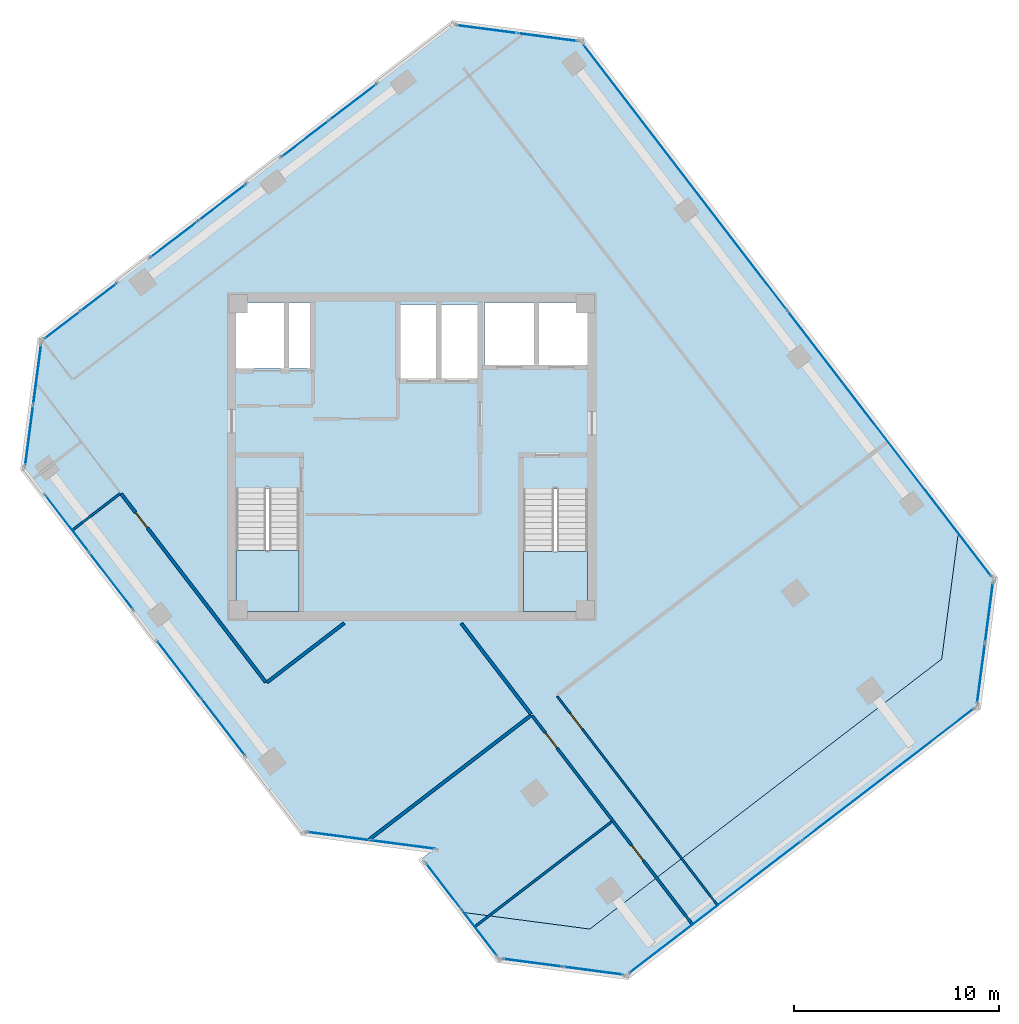
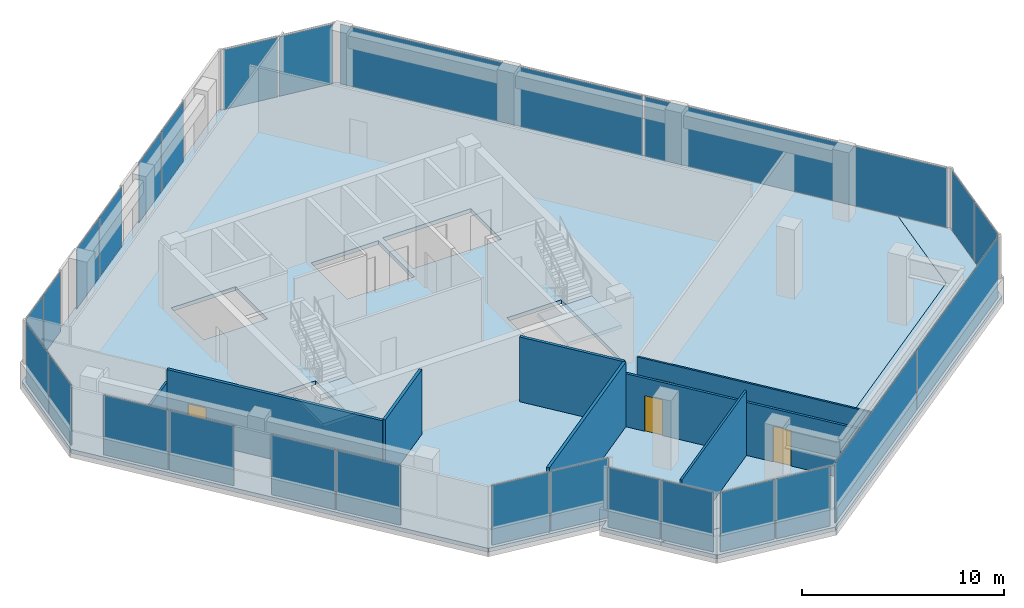
# One storey, part 12 of 17: 26 plates, 8 walls, 4 doors, 4 slabs, 4 openings, 15 elements without a shape of their own.
"""IFC4 building model written with IfcOpenShell, lengths in metres."""

from ifc_helpers import new_model, si_unit, direction, frame, frame_2d, origin, origin_2d, place, context, subcontext, project, spatial, polyline, rectangle, outline, extrude, source, transform, mapped, material, layer, layer_set, type_object, element, fill, aggregate, save


model = new_model("IFC4")

# Units and contexts
model_context = context("Model", 3, precision=1e-05, world=origin(), true_north=direction((0.0, 1.0)))
body_context = subcontext(model_context, "Body", "Model", "MODEL_VIEW")
ifc_project = project(units=[si_unit("LENGTHUNIT", "METRE"), si_unit("AREAUNIT", "SQUARE_METRE"), si_unit("VOLUMEUNIT", "CUBIC_METRE"), si_unit("PLANEANGLEUNIT", "RADIAN"), si_unit("MASSUNIT", "GRAM", prefix="KILO")], contexts=[model_context])

# Site, building, storey
site_placement = place(None, origin())
site = spatial("IfcSite", under=ifc_project, at=site_placement, CompositionType="ELEMENT")
building_placement = place(site_placement, origin())
building = spatial("IfcBuilding", under=site, at=building_placement, Name="Torre Montelarca", CompositionType="ELEMENT")
storey_placement = place(building_placement, frame((0.0, 0.0, 283.60009765625)))
storey = spatial("IfcBuildingStorey", under=building, at=storey_placement, Name="L64", CompositionType="ELEMENT", Elevation=283.60009765625)

# Slabs
ifc_material_1 = material(Name="Concrete C40/50", Category="concrete")
ifc_layer_1 = layer(ifc_material_1, 0.239990234375, Name="Concrete C40/50", Category="concrete")
ifc_layer_set_1 = layer_set([ifc_layer_1], Name="Concrete C40/50")
slab_type_1 = type_object("IfcSlabType", Name="SL-FLR-240", PredefinedType="FLOOR", material=ifc_layer_set_1)
slab_1_placement = place(storey_placement, frame((0.0, 0.0, -0.239990234375)))
element("IfcSlab", 1, at=slab_1_placement, inside=storey, type_object=slab_type_1, Name="L64 Structural Floor Slab", PredefinedType="FLOOR", context=body_context, shape_type="SweptSolid", body=[
    extrude(outline(polyline([(12.66162109375, 13.62158203125), (18.97119140625, 12.791015625), (18.415771484375, 12.364990234375), (20.36376953125, 9.826171875), (26.67333984375, 8.99560546875), (43.809814453125, 22.144775390625), (44.640380859375, 28.454345703125), (26.316650390625, 52.334228515625), (20.007080078125, 53.164794921875), (-0.14404296875, 37.702392578125), (-0.974609375, 31.392822265625), (12.66162109375, 13.62158203125)]), holes=[polyline([(26.550048828125, 24.449951171875), (23.43994140625, 24.449951171875), (23.43994140625, 30.429931640625), (26.550048828125, 30.429931640625), (26.550048828125, 24.449951171875)]), polyline([(12.5, 24.449951171875), (9.449951171875, 24.449951171875), (9.449951171875, 30.4599609375), (12.5, 30.4599609375), (12.5, 24.449951171875)]), polyline([(21.25, 39.39990234375), (21.25, 35.800048828125), (17.39990234375, 35.800048828125), (17.39990234375, 39.39990234375), (21.25, 39.39990234375)]), polyline([(13.1201171875, 36.300048828125), (9.449951171875, 36.300048828125), (9.449951171875, 39.5), (13.1201171875, 39.5), (13.1201171875, 36.300048828125)]), polyline([(26.60009765625, 36.449951171875), (21.550048828125, 36.449951171875), (21.550048828125, 39.5), (26.60009765625, 39.5), (26.60009765625, 36.449951171875)])]), origin(), (0.0, 0.0, 1.0), 0.239990234375),
])
slab_2_placement = place(storey_placement, frame((0.0, 0.0, -0.239990234375)))
element("IfcSlab", 2, at=slab_2_placement, inside=storey, type_object=slab_type_1, Name="L64 Sliding Tray Winter Garden Floor Slab E1", PredefinedType="FLOOR", context=body_context, shape_type="SweptSolid", body=[
    extrude(outline(polyline([(44.640380859375, 28.454345703125), (43.809814453125, 22.144775390625), (26.67333984375, 8.99560546875), (20.36376953125, 9.826171875), (22.190185546875, 7.446044921875), (28.49951171875, 6.615478515625), (45.635986328125, 19.7646484375), (46.466796875, 26.07421875), (44.640380859375, 28.454345703125)])), origin(), (0.0, 0.0, 1.0), 0.239990234375),
])

# Stair, slab
stair_type_1 = type_object("IfcStairType", Name="ST-CORE-ST1", PredefinedType="HALF_TURN_STAIR", material=ifc_material_1)
stair_1_placement = place(storey_placement, origin())
stair_1 = element("IfcStair", 3, at=stair_1_placement, inside=storey, type_object=stair_type_1, Name="L64 Protected Exit Stair ST1", PredefinedType="HALF_TURN_STAIR")
ifc_layer_2 = layer(ifc_material_1, 0.199951171875, Name="Concrete C40/50", Category="concrete")
ifc_layer_set_2 = layer_set([ifc_layer_2], Name="Concrete C40/50")
slab_type_2 = type_object("IfcSlabType", Name="SL-ST-LAND-ST1", PredefinedType="LANDING", material=ifc_layer_set_2)
slab_3_placement = place(storey_placement, frame((0.0, 0.0, 1.89990234375)))
slab_3 = element("IfcSlab", 4, at=slab_3_placement, type_object=slab_type_2, Name="ST1 landing 1", PredefinedType="LANDING", context=body_context, shape_type="SweptSolid", body=[
    extrude(outline(polyline([(9.449951171875, 27.419921875), (9.449951171875, 24.449951171875), (12.5, 24.449951171875), (12.5, 27.419921875), (9.449951171875, 27.419921875)])), origin(), (0.0, 0.0, 1.0), 0.199951171875),
])
aggregate(stair_1, [slab_3])

stair_type_2 = type_object("IfcStairType", Name="ST-CORE-ST2", PredefinedType="HALF_TURN_STAIR", material=ifc_material_1)
stair_2_placement = place(storey_placement, origin())
stair_2 = element("IfcStair", 5, at=stair_2_placement, inside=storey, type_object=stair_type_2, Name="L64 Protected Exit Stair ST2", PredefinedType="HALF_TURN_STAIR")
ifc_layer_3 = layer(ifc_material_1, 0.199951171875, Name="Concrete C40/50", Category="concrete")
ifc_layer_set_3 = layer_set([ifc_layer_3], Name="Concrete C40/50")
slab_type_3 = type_object("IfcSlabType", Name="SL-ST-LAND-ST2", PredefinedType="LANDING", material=ifc_layer_set_3)
slab_4_placement = place(storey_placement, frame((0.0, 0.0, 1.89990234375)))
slab_4 = element("IfcSlab", 6, at=slab_4_placement, type_object=slab_type_3, Name="ST2 landing 1", PredefinedType="LANDING", context=body_context, shape_type="SweptSolid", body=[
    extrude(outline(polyline([(23.43994140625, 27.389892578125), (23.43994140625, 24.449951171875), (26.550048828125, 24.449951171875), (26.550048828125, 27.389892578125), (23.43994140625, 27.389892578125)])), origin(), (0.0, 0.0, 1.0), 0.199951171875),
])
aggregate(stair_2, [slab_4])

# Curtain wall, plates
ifc_material_2 = material(Name="Insulated low-E laminated glass", Category="glass")
curtain_wall_type = type_object("IfcCurtainWallType", Name="CW-SYS-Z3", PredefinedType="USERDEFINED", material=ifc_material_2)
curtain_wall_1_placement = place(storey_placement, origin())
curtain_wall_1 = element("IfcCurtainWall", 7, at=curtain_wall_1_placement, inside=storey, type_object=curtain_wall_type, Name="L64 Curtain Wall Run CW-T3-L64-E02-B1", ObjectType="UNITISED GLAZING", PredefinedType="USERDEFINED")
ifc_layer_4 = layer(ifc_material_2, 0.031982421875, Name="Insulated low-E laminated glass", Category="glass")
ifc_layer_set_4 = layer_set([ifc_layer_4], Name="Insulated low-E laminated glass")
plate_type = type_object("IfcPlateType", Name="CWP-GLZ-32", PredefinedType="CURTAIN_PANEL", material=ifc_layer_set_4)
shared_shape_1 = source(origin(), body_context, "Body", "SweptSolid", [
    extrude(rectangle(XDim=3.08740234375, YDim=0.031982421875, at=origin_2d()), origin(), (0.0, 0.0, 1.0), 3.610107421875),
])
plate_1_placement = place(storey_placement, frame((14.447998046875, 13.517578125, 0.0546875), z_axis=(0.0, 0.0, 1.0), x_axis=(0.991446369584, -0.130514735715, 0.0)))
plate_1 = element("IfcPlate", 8, at=plate_1_placement, type_object=plate_type, Name="CW panel 1.1", PredefinedType="CURTAIN_PANEL", context=body_context, shape_type="MappedRepresentation", body=[
    mapped(shared_shape_1, transform((0.0, 0.0, 0.0), scale=1.0)),
])
plate_2_placement = place(storey_placement, frame((17.58349609375, 13.10498046875, 0.0546875), z_axis=(0.0, 0.0, 1.0), x_axis=(0.991446369584, -0.130514735715, 0.0)))
plate_2 = element("IfcPlate", 9, at=plate_2_placement, type_object=plate_type, Name="CW panel 2.1", PredefinedType="CURTAIN_PANEL", context=body_context, shape_type="MappedRepresentation", body=[
    mapped(shared_shape_1, transform((0.0, 0.0, 0.0), scale=1.0)),
])
aggregate(curtain_wall_1, [plate_1, plate_2])

curtain_wall_2_placement = place(storey_placement, origin())
curtain_wall_2 = element("IfcCurtainWall", 10, at=curtain_wall_2_placement, inside=storey, type_object=curtain_wall_type, Name="L64 Curtain Wall Run CW-T3-L64-E05-B1", ObjectType="UNITISED GLAZING", PredefinedType="USERDEFINED")
shared_shape_2 = source(origin(), body_context, "Body", "SweptSolid", [
    extrude(rectangle(XDim=2.903564453125, YDim=0.031982421875, at=origin_2d()), origin(), (0.0, 0.0, 1.0), 3.610107421875),
])
plate_3_placement = place(storey_placement, frame((23.88525390625, 7.35400390625, 0.0546875), z_axis=(0.0, 0.0, 1.0), x_axis=(0.991446450787, -0.130514118862, 0.0)))
plate_3 = element("IfcPlate", 11, at=plate_3_placement, type_object=plate_type, Name="CW panel 1.1", PredefinedType="CURTAIN_PANEL", context=body_context, shape_type="MappedRepresentation", body=[
    mapped(shared_shape_2, transform((0.0, 0.0, 0.0), scale=1.0)),
])
plate_4_placement = place(storey_placement, frame((26.83837890625, 6.96533203125, 0.0546875), z_axis=(0.0, 0.0, 1.0), x_axis=(0.991446450787, -0.130514118862, 0.0)))
plate_4 = element("IfcPlate", 12, at=plate_4_placement, type_object=plate_type, Name="CW panel 2.1", PredefinedType="CURTAIN_PANEL", context=body_context, shape_type="MappedRepresentation", body=[
    mapped(shared_shape_2, transform((0.0, 0.0, 0.0), scale=1.0)),
])
aggregate(curtain_wall_2, [plate_3, plate_4])

curtain_wall_3_placement = place(storey_placement, origin())
curtain_wall_3 = element("IfcCurtainWall", 13, at=curtain_wall_3_placement, inside=storey, type_object=curtain_wall_type, Name="L64 Curtain Wall Run CW-T3-L64-E07-B1", ObjectType="UNITISED GLAZING", PredefinedType="USERDEFINED")
plate_5_placement = place(storey_placement, frame((45.72802734375, 21.4599609375, 0.0546875), z_axis=(0.0, 0.0, 1.0), x_axis=(0.130514118862, 0.991446450787, 0.0)))
plate_5 = element("IfcPlate", 14, at=plate_5_placement, type_object=plate_type, Name="CW panel 1.1", PredefinedType="CURTAIN_PANEL", context=body_context, shape_type="MappedRepresentation", body=[
    mapped(shared_shape_2, transform((0.0, 0.0, 0.0), scale=1.0)),
])
plate_6_placement = place(storey_placement, frame((46.116943359375, 24.4130859375, 0.0546875), z_axis=(0.0, 0.0, 1.0), x_axis=(0.130514118862, 0.991446450787, 0.0)))
plate_6 = element("IfcPlate", 15, at=plate_6_placement, type_object=plate_type, Name="CW panel 2.1", PredefinedType="CURTAIN_PANEL", context=body_context, shape_type="MappedRepresentation", body=[
    mapped(shared_shape_2, transform((0.0, 0.0, 0.0), scale=1.0)),
])
aggregate(curtain_wall_3, [plate_5, plate_6])

curtain_wall_4_placement = place(storey_placement, origin())
curtain_wall_4 = element("IfcCurtainWall", 16, at=curtain_wall_4_placement, inside=storey, type_object=curtain_wall_type, Name="L64 Curtain Wall Run CW-T3-L64-E09-B1", ObjectType="UNITISED GLAZING", PredefinedType="USERDEFINED")
plate_7_placement = place(storey_placement, frame((24.62158203125, 52.42626953125, 0.0546875), z_axis=(0.0, 0.0, 1.0), x_axis=(-0.991446450787, 0.130514118862, 0.0)))
plate_7 = element("IfcPlate", 17, at=plate_7_placement, type_object=plate_type, Name="CW panel 1.1", PredefinedType="CURTAIN_PANEL", context=body_context, shape_type="MappedRepresentation", body=[
    mapped(shared_shape_2, transform((0.0, 0.0, 0.0), scale=1.0)),
])
plate_8_placement = place(storey_placement, frame((21.66845703125, 52.81494140625, 0.0546875), z_axis=(0.0, 0.0, 1.0), x_axis=(-0.991446450787, 0.130514118862, 0.0)))
plate_8 = element("IfcPlate", 18, at=plate_8_placement, type_object=plate_type, Name="CW panel 2.1", PredefinedType="CURTAIN_PANEL", context=body_context, shape_type="MappedRepresentation", body=[
    mapped(shared_shape_2, transform((0.0, 0.0, 0.0), scale=1.0)),
])
aggregate(curtain_wall_4, [plate_7, plate_8])

curtain_wall_5_placement = place(storey_placement, origin())
curtain_wall_5 = element("IfcCurtainWall", 19, at=curtain_wall_5_placement, inside=storey, type_object=curtain_wall_type, Name="L64 Curtain Wall Run CW-T3-L64-E11-B1", ObjectType="UNITISED GLAZING", PredefinedType="USERDEFINED")
plate_9_placement = place(storey_placement, frame((-0.236083984375, 36.007080078125, 0.0546875), z_axis=(0.0, 0.0, 1.0), x_axis=(-0.130514118862, -0.991446450787, 0.0)))
plate_9 = element("IfcPlate", 20, at=plate_9_placement, type_object=plate_type, Name="CW panel 1.1", PredefinedType="CURTAIN_PANEL", context=body_context, shape_type="MappedRepresentation", body=[
    mapped(shared_shape_2, transform((0.0, 0.0, 0.0), scale=1.0)),
])
plate_10_placement = place(storey_placement, frame((-0.624755859375, 33.053955078125, 0.0546875), z_axis=(0.0, 0.0, 1.0), x_axis=(-0.130514118862, -0.991446450787, 0.0)))
plate_10 = element("IfcPlate", 21, at=plate_10_placement, type_object=plate_type, Name="CW panel 2.1", PredefinedType="CURTAIN_PANEL", context=body_context, shape_type="MappedRepresentation", body=[
    mapped(shared_shape_2, transform((0.0, 0.0, 0.0), scale=1.0)),
])
aggregate(curtain_wall_5, [plate_9, plate_10])

curtain_wall_6_placement = place(storey_placement, origin())
curtain_wall_6 = element("IfcCurtainWall", 22, at=curtain_wall_6_placement, inside=storey, type_object=curtain_wall_type, Name="L64 Curtain Wall Run CW-T3-L64-E06-B1", ObjectType="UNITISED GLAZING", PredefinedType="USERDEFINED")
shared_shape_3 = source(origin(), body_context, "Body", "SweptSolid", [
    extrude(rectangle(XDim=10.521728515625, YDim=0.031982421875, at=origin_2d()), origin(), (0.0, 0.0, 1.0), 3.610107421875),
])
plate_11_placement = place(storey_placement, frame((32.78515625, 10.06787109375, 0.0546875), z_axis=(0.0, 0.0, 1.0), x_axis=(0.793351942978, 0.608763250019, 0.0)))
plate_11 = element("IfcPlate", 23, at=plate_11_placement, type_object=plate_type, Name="CW panel 1.1", PredefinedType="CURTAIN_PANEL", context=body_context, shape_type="MappedRepresentation", body=[
    mapped(shared_shape_3, transform((0.0, 0.0, 0.0), scale=1.0)),
])
plate_12_placement = place(storey_placement, frame((41.192138671875, 16.5185546875, 0.0546875), z_axis=(0.0, 0.0, 1.0), x_axis=(0.793351942978, 0.608763250019, 0.0)))
plate_12 = element("IfcPlate", 24, at=plate_12_placement, type_object=plate_type, Name="CW panel 2.1", PredefinedType="CURTAIN_PANEL", context=body_context, shape_type="MappedRepresentation", body=[
    mapped(shared_shape_3, transform((0.0, 0.0, 0.0), scale=1.0)),
])
aggregate(curtain_wall_6, [plate_11, plate_12])

curtain_wall_7_placement = place(storey_placement, origin())
curtain_wall_7 = element("IfcCurtainWall", 25, at=curtain_wall_7_placement, inside=storey, type_object=curtain_wall_type, Name="L64 Curtain Wall Run CW-T3-L64-E10-B1", ObjectType="UNITISED GLAZING", PredefinedType="USERDEFINED")
shared_shape_4 = source(origin(), body_context, "Body", "SweptSolid", [
    extrude(rectangle(XDim=2.857421875, YDim=0.031982421875, at=origin_2d()), origin(), (0.0, 0.0, 1.0), 3.610107421875),
])
plate_13_placement = place(storey_placement, frame((15.140625, 49.266845703125, 0.0546875), z_axis=(0.0, 0.0, 1.0), x_axis=(-0.793347521215, -0.608769012502, 0.0)))
plate_13 = element("IfcPlate", 26, at=plate_13_placement, type_object=plate_type, Name="CW panel 1.1", PredefinedType="CURTAIN_PANEL", context=body_context, shape_type="MappedRepresentation", body=[
    mapped(shared_shape_4, transform((0.0, 0.0, 0.0), scale=1.0)),
])
plate_14_placement = place(storey_placement, frame((12.814208984375, 47.481689453125, 0.0546875), z_axis=(0.0, 0.0, 1.0), x_axis=(-0.793347521215, -0.608769012502, 0.0)))
plate_14 = element("IfcPlate", 27, at=plate_14_placement, type_object=plate_type, Name="CW panel 2.1", PredefinedType="CURTAIN_PANEL", context=body_context, shape_type="MappedRepresentation", body=[
    mapped(shared_shape_4, transform((0.0, 0.0, 0.0), scale=1.0)),
])
aggregate(curtain_wall_7, [plate_13, plate_14])

curtain_wall_8_placement = place(storey_placement, origin())
curtain_wall_8 = element("IfcCurtainWall", 28, at=curtain_wall_8_placement, inside=storey, type_object=curtain_wall_type, Name="L64 Curtain Wall Run CW-T3-L64-E01-B1", ObjectType="UNITISED GLAZING", PredefinedType="USERDEFINED")
shared_shape_5 = source(origin(), body_context, "Body", "SweptSolid", [
    extrude(rectangle(XDim=3.45751953125, YDim=0.031982421875, at=origin_2d()), origin(), (0.0, 0.0, 1.0), 3.610107421875),
])
plate_15_placement = place(storey_placement, frame((1.21875, 28.747802734375, 0.0546875), z_axis=(0.0, 0.0, 1.0), x_axis=(0.608768152979, -0.793348180762, 0.0)))
plate_15 = element("IfcPlate", 29, at=plate_15_placement, type_object=plate_type, Name="CW panel 1.1", PredefinedType="CURTAIN_PANEL", context=body_context, shape_type="MappedRepresentation", body=[
    mapped(shared_shape_5, transform((0.0, 0.0, 0.0), scale=1.0)),
])
plate_16_placement = place(storey_placement, frame((3.369140625, 25.9453125, 0.0546875), z_axis=(0.0, 0.0, 1.0), x_axis=(0.608768152979, -0.793348180762, 0.0)))
plate_16 = element("IfcPlate", 30, at=plate_16_placement, type_object=plate_type, Name="CW panel 2.1", PredefinedType="CURTAIN_PANEL", context=body_context, shape_type="MappedRepresentation", body=[
    mapped(shared_shape_5, transform((0.0, 0.0, 0.0), scale=1.0)),
])
aggregate(curtain_wall_8, [plate_15, plate_16])

curtain_wall_9_placement = place(storey_placement, origin())
curtain_wall_9 = element("IfcCurtainWall", 31, at=curtain_wall_9_placement, inside=storey, type_object=curtain_wall_type, Name="L64 Curtain Wall Run CW-T3-L64-E08-B1", ObjectType="UNITISED GLAZING", PredefinedType="USERDEFINED")
shared_shape_6 = source(origin(), body_context, "Body", "SweptSolid", [
    extrude(rectangle(XDim=16.271728515625, YDim=0.031982421875, at=origin_2d()), origin(), (0.0, 0.0, 1.0), 3.610107421875),
])
plate_17_placement = place(storey_placement, frame((41.26416015625, 32.640625, 0.0546875), z_axis=(0.0, 0.0, 1.0), x_axis=(-0.60876098773, 0.793353678896, 0.0)))
plate_17 = element("IfcPlate", 32, at=plate_17_placement, type_object=plate_type, Name="CW panel 1.1", PredefinedType="CURTAIN_PANEL", context=body_context, shape_type="MappedRepresentation", body=[
    mapped(shared_shape_6, transform((0.0, 0.0, 0.0), scale=1.0)),
])
plate_18_placement = place(storey_placement, frame((31.31298828125, 45.609375, 0.0546875), z_axis=(0.0, 0.0, 1.0), x_axis=(-0.60876098773, 0.793353678896, 0.0)))
plate_18 = element("IfcPlate", 33, at=plate_18_placement, type_object=plate_type, Name="CW panel 2.1", PredefinedType="CURTAIN_PANEL", context=body_context, shape_type="MappedRepresentation", body=[
    mapped(shared_shape_6, transform((0.0, 0.0, 0.0), scale=1.0)),
])
aggregate(curtain_wall_9, [plate_17, plate_18])

curtain_wall_10_placement = place(storey_placement, origin())
curtain_wall_10 = element("IfcCurtainWall", 34, at=curtain_wall_10_placement, inside=storey, type_object=curtain_wall_type, Name="L64 Curtain Wall Run CW-T3-L64-E04-B1", ObjectType="UNITISED GLAZING", PredefinedType="USERDEFINED")
shared_shape_7 = source(origin(), body_context, "Body", "SweptSolid", [
    extrude(rectangle(XDim=2.78369140625, YDim=0.031982421875, at=origin_2d()), origin(), (0.0, 0.0, 1.0), 3.610107421875),
])
plate_19_placement = place(storey_placement, frame((19.55908203125, 11.08837890625, 0.0546875), z_axis=(0.0, 0.0, 1.0), x_axis=(0.608761678082, -0.793353149171, 0.0)))
plate_19 = element("IfcPlate", 35, at=plate_19_placement, type_object=plate_type, Name="CW panel 1.1", PredefinedType="CURTAIN_PANEL", context=body_context, shape_type="MappedRepresentation", body=[
    mapped(shared_shape_7, transform((0.0, 0.0, 0.0), scale=1.0)),
])
plate_20_placement = place(storey_placement, frame((21.29931640625, 8.820556640625, 0.0546875), z_axis=(0.0, 0.0, 1.0), x_axis=(0.608761678082, -0.793353149171, 0.0)))
plate_20 = element("IfcPlate", 36, at=plate_20_placement, type_object=plate_type, Name="CW panel 2.1", PredefinedType="CURTAIN_PANEL", context=body_context, shape_type="MappedRepresentation", body=[
    mapped(shared_shape_7, transform((0.0, 0.0, 0.0), scale=1.0)),
])
aggregate(curtain_wall_10, [plate_19, plate_20])

curtain_wall_11_placement = place(storey_placement, origin())
curtain_wall_11 = element("IfcCurtainWall", 37, at=curtain_wall_11_placement, inside=storey, type_object=curtain_wall_type, Name="L64 Curtain Wall Run CW-T3-L64-E01-B2", ObjectType="UNITISED GLAZING", PredefinedType="USERDEFINED")
shared_shape_8 = source(origin(), body_context, "Body", "SweptSolid", [
    extrude(rectangle(XDim=3.432373046875, YDim=0.031982421875, at=origin_2d()), origin(), (0.0, 0.0, 1.0), 3.610107421875),
])
plate_21_placement = place(storey_placement, frame((6.68994140625, 21.617431640625, 0.0546875), z_axis=(0.0, 0.0, 1.0), x_axis=(0.608764905268, -0.793350672852, 0.0)))
plate_21 = element("IfcPlate", 38, at=plate_21_placement, type_object=plate_type, Name="CW panel 1.1", PredefinedType="CURTAIN_PANEL", context=body_context, shape_type="MappedRepresentation", body=[
    mapped(shared_shape_8, transform((0.0, 0.0, 0.0), scale=1.0)),
])
plate_22_placement = place(storey_placement, frame((8.8251953125, 18.8349609375, 0.0546875), z_axis=(0.0, 0.0, 1.0), x_axis=(0.608764905268, -0.793350672852, 0.0)))
plate_22 = element("IfcPlate", 39, at=plate_22_placement, type_object=plate_type, Name="CW panel 2.1", PredefinedType="CURTAIN_PANEL", context=body_context, shape_type="MappedRepresentation", body=[
    mapped(shared_shape_8, transform((0.0, 0.0, 0.0), scale=1.0)),
])
aggregate(curtain_wall_11, [plate_21, plate_22])

curtain_wall_12_placement = place(storey_placement, origin())
curtain_wall_12 = element("IfcCurtainWall", 40, at=curtain_wall_12_placement, inside=storey, type_object=curtain_wall_type, Name="L64 Curtain Wall Run CW-T3-L64-E10-B2", ObjectType="UNITISED GLAZING", PredefinedType="USERDEFINED")
shared_shape_9 = source(origin(), body_context, "Body", "SweptSolid", [
    extrude(rectangle(XDim=2.882568359375, YDim=0.031982421875, at=origin_2d()), origin(), (0.0, 0.0, 1.0), 3.610107421875),
])
plate_23_placement = place(storey_placement, frame((8.783935546875, 44.38916015625, 0.0546875), z_axis=(0.0, 0.0, 1.0), x_axis=(-0.793344577032, -0.60877284934, 0.0)))
plate_23 = element("IfcPlate", 41, at=plate_23_placement, type_object=plate_type, Name="CW panel 1.1", PredefinedType="CURTAIN_PANEL", context=body_context, shape_type="MappedRepresentation", body=[
    mapped(shared_shape_9, transform((0.0, 0.0, 0.0), scale=1.0)),
])
plate_24_placement = place(storey_placement, frame((6.437744140625, 42.588623046875, 0.0546875), z_axis=(0.0, 0.0, 1.0), x_axis=(-0.793344577032, -0.60877284934, 0.0)))
plate_24 = element("IfcPlate", 42, at=plate_24_placement, type_object=plate_type, Name="CW panel 2.1", PredefinedType="CURTAIN_PANEL", context=body_context, shape_type="MappedRepresentation", body=[
    mapped(shared_shape_9, transform((0.0, 0.0, 0.0), scale=1.0)),
])
aggregate(curtain_wall_12, [plate_23, plate_24])

curtain_wall_13_placement = place(storey_placement, origin())
curtain_wall_13 = element("IfcCurtainWall", 43, at=curtain_wall_13_placement, inside=storey, type_object=curtain_wall_type, Name="L64 Curtain Wall Run CW-T3-L64-E10-B3", ObjectType="UNITISED GLAZING", PredefinedType="USERDEFINED")
shared_shape_10 = source(origin(), body_context, "Body", "SweptSolid", [
    extrude(rectangle(XDim=2.16455078125, YDim=0.031982421875, at=origin_2d()), origin(), (0.0, 0.0, 1.0), 3.610107421875),
])
plate_25_placement = place(storey_placement, frame((2.76171875, 39.76806640625, 0.0546875), z_axis=(0.0, 0.0, 1.0), x_axis=(-0.793356430541, -0.608757401695, 0.0)))
plate_25 = element("IfcPlate", 44, at=plate_25_placement, type_object=plate_type, Name="CW panel 1.1", PredefinedType="CURTAIN_PANEL", context=body_context, shape_type="MappedRepresentation", body=[
    mapped(shared_shape_10, transform((0.0, 0.0, 0.0), scale=1.0)),
])
plate_26_placement = place(storey_placement, frame((0.98486328125, 38.404541015625, 0.0546875), z_axis=(0.0, 0.0, 1.0), x_axis=(-0.793356430541, -0.608757401695, 0.0)))
plate_26 = element("IfcPlate", 45, at=plate_26_placement, type_object=plate_type, Name="CW panel 2.1", PredefinedType="CURTAIN_PANEL", context=body_context, shape_type="MappedRepresentation", body=[
    mapped(shared_shape_10, transform((0.0, 0.0, 0.0), scale=1.0)),
])
aggregate(curtain_wall_13, [plate_25, plate_26])

# Wall, opening, door
ifc_material_3 = material(Name="Gypsum plasterboard on steel stud", Category="steel")
ifc_layer_5 = layer(ifc_material_3, 0.159912109375, Name="Gypsum plasterboard on steel stud", Category="steel")
ifc_layer_set_5 = layer_set([ifc_layer_5], Name="Gypsum plasterboard on steel stud")
wall_type_1 = type_object("IfcWallType", Name="PW-FIRE-160", PredefinedType="PARTITIONING", material=ifc_layer_set_5)
wall_1_placement = place(storey_placement, frame((3.852783203125, 30.19384765625, 0.0), z_axis=(0.0, 0.0, 1.0), x_axis=(0.608748677634, -0.793363124603, 0.0)))
wall_1 = element("IfcWall", 46, at=wall_1_placement, inside=storey, type_object=wall_type_1, Name="L64 Interior Partition W-L64-SOCCN", PredefinedType="PARTITIONING", context=body_context, shape_type="SweptSolid", body=[
    extrude(rectangle(XDim=11.570068359375, YDim=0.159912109375, at=frame_2d((5.78515625, 0.0))), origin(), (0.0, 0.0, 1.0), 3.919921875),
])
opening_1_placement = place(wall_1_placement, frame((1.14990234375, 0.0, 0.0)))
opening_1 = element("IfcOpeningElement", 47, at=opening_1_placement, cuts=wall_1, Name="Opening FD-095", PredefinedType="OPENING", context=body_context, shape_type="SweptSolid", body=[
    extrude(rectangle(XDim=0.949951171875, YDim=2.14990234375, at=frame_2d((0.47509765625, 1.074951171875))), frame((0.0, 0.08984375, 0.0), z_axis=(0.0, -1.0, 0.0), x_axis=(1.0, 0.0, 0.0)), (0.0, 0.0, 1.0), 0.179931640625),
])
ifc_material_4 = material(Name="Timber fire-rated room door", Category="wood")
door_type_1 = type_object("IfcDoorType", Name="DR-FIRE-095", OperationType="NOTDEFINED", PredefinedType="DOOR", material=ifc_material_4)
shared_shape_11 = source(origin(), body_context, "Body", "SweptSolid", [
    extrude(rectangle(XDim=0.949951171875, YDim=2.14990234375, at=frame_2d((0.47509765625, 1.074951171875))), frame((0.0, 0.02490234375, 0.0), z_axis=(0.0, -1.0, 0.0), x_axis=(1.0, 0.0, 0.0)), (0.0, 0.0, 1.0), 0.050048828125),
])
door_1_placement = place(opening_1_placement, origin())
door_1 = element("IfcDoor", 48, at=door_1_placement, inside=storey, type_object=door_type_1, Name="L64 Interior Door 06", OperationType="SINGLE_SWING_RIGHT", OverallHeight=2.14990234375, OverallWidth=0.949951171875, PredefinedType="DOOR", context=body_context, shape_type="MappedRepresentation", body=[
    mapped(shared_shape_11, transform((0.0, 0.0, 0.0), scale=1.0)),
])
fill(opening_1, door_1)

# Walls
wall_2_placement = place(storey_placement, frame((10.9521484375, 21.00732421875, 0.0), z_axis=(0.0, 0.0, 1.0), x_axis=(0.793369431695, 0.608740457709, 0.0)))
element("IfcWall", 49, at=wall_2_placement, inside=storey, type_object=wall_type_1, Name="L64 Interior Partition W-L64-SOCCW3", PredefinedType="PARTITIONING", context=body_context, shape_type="SweptSolid", body=[
    extrude(rectangle(XDim=4.74462890625, YDim=0.159912109375, at=frame_2d((2.372314453125, 0.0))), origin(), (0.0, 0.0, 1.0), 3.919921875),
])
wall_3_placement = place(storey_placement, frame((20.413818359375, 23.88818359375, 0.0), z_axis=(0.0, 0.0, 1.0), x_axis=(0.608740736079, -0.793369218106, 0.0)))
element("IfcWall", 50, at=wall_3_placement, inside=storey, type_object=wall_type_1, Name="L64 Interior Partition W-L64-SOCCN3", PredefinedType="PARTITIONING", context=body_context, shape_type="SweptSolid", body=[
    extrude(rectangle(XDim=5.58544921875, YDim=0.159912109375, at=frame_2d((2.792724609375, 0.0))), origin(), (0.0, 0.0, 1.0), 3.919921875),
])
wall_4_placement = place(storey_placement, frame((15.93505859375, 13.360595703125, 0.0), z_axis=(0.0, 0.0, 1.0), x_axis=(0.793355203048, 0.608759001409, 0.0)))
element("IfcWall", 51, at=wall_4_placement, inside=storey, type_object=wall_type_1, Name="L64 Interior Partition W-L64-ECS", PredefinedType="PARTITIONING", context=body_context, shape_type="SweptSolid", body=[
    extrude(rectangle(XDim=9.921875, YDim=0.159912109375, at=frame_2d((4.9609375, 0.0))), origin(), (0.0, 0.0, 1.0), 3.919921875),
])

# Wall, opening, door
ifc_material_5 = material(Name="Acoustic laminated glass partition", Category="glass")
ifc_layer_6 = layer(ifc_material_5, 0.10009765625, Name="Acoustic laminated glass partition", Category="glass")
ifc_layer_set_6 = layer_set([ifc_layer_6], Name="Acoustic laminated glass partition")
wall_type_2 = type_object("IfcWallType", Name="PW-GLAZ-100", PredefinedType="PARTITIONING", material=ifc_layer_set_6)
wall_5_placement = place(storey_placement, frame((25.084716796875, 20.330810546875, 0.0), z_axis=(0.0, 0.0, 1.0), x_axis=(0.608748325205, -0.793363395022, 0.0)))
wall_5 = element("IfcWall", 52, at=wall_5_placement, inside=storey, type_object=wall_type_2, Name="L64 Interior Partition W-L64-NE-S", PredefinedType="PARTITIONING", context=body_context, shape_type="SweptSolid", body=[
    extrude(rectangle(XDim=12.780029296875, YDim=0.10009765625, at=frame_2d((6.39013671875, 0.0))), origin(), (0.0, 0.0, 1.0), 3.21240234375),
])
opening_2_placement = place(wall_5_placement, frame((1.050048828125, 0.0, 0.0)))
opening_2 = element("IfcOpeningElement", 53, at=opening_2_placement, cuts=wall_5, Name="Opening ID-095", PredefinedType="OPENING", context=body_context, shape_type="SweptSolid", body=[
    extrude(rectangle(XDim=0.949951171875, YDim=2.14990234375, at=frame_2d((0.47509765625, 1.074951171875))), frame((0.0, 0.06005859375, 0.0), z_axis=(0.0, -1.0, 0.0), x_axis=(1.0, 0.0, 0.0)), (0.0, 0.0, 1.0), 0.1201171875),
])
ifc_material_6 = material(Name="Hardwood acoustic timber veneer", Category="wood")
door_type_2 = type_object("IfcDoorType", Name="DR-INT-095", OperationType="NOTDEFINED", PredefinedType="DOOR", material=ifc_material_6)
shared_shape_12 = source(origin(), body_context, "Body", "SweptSolid", [
    extrude(rectangle(XDim=0.949951171875, YDim=2.14990234375, at=frame_2d((0.47509765625, 1.074951171875))), frame((0.0, 0.02490234375, 0.0), z_axis=(0.0, -1.0, 0.0), x_axis=(1.0, 0.0, 0.0)), (0.0, 0.0, 1.0), 0.050048828125),
])
door_2_placement = place(opening_2_placement, origin())
door_2 = element("IfcDoor", 54, at=door_2_placement, inside=storey, type_object=door_type_2, Name="L64 Interior Door 09", OperationType="SINGLE_SWING_LEFT", OverallHeight=2.14990234375, OverallWidth=0.949951171875, PredefinedType="DOOR", context=body_context, shape_type="MappedRepresentation", body=[
    mapped(shared_shape_12, transform((0.0, 0.0, 0.0), scale=1.0)),
])
fill(opening_2, door_2)

# Walls
ifc_layer_7 = layer(ifc_material_3, 0.114990234375, Name="Gypsum plasterboard on steel stud", Category="steel")
ifc_layer_set_7 = layer_set([ifc_layer_7], Name="Gypsum plasterboard on steel stud")
wall_type_3 = type_object("IfcWallType", Name="PW-PART-115", PredefinedType="PARTITIONING", material=ifc_layer_set_7)
wall_6_placement = place(storey_placement, frame((1.51171875, 28.447998046875, 0.0), z_axis=(0.0, 0.0, 1.0), x_axis=(0.793370260172, 0.608739377956, 0.0)))
element("IfcWall", 55, at=wall_6_placement, inside=storey, type_object=wall_type_3, Name="L64 Interior Partition W-L64-SWCDIV", PredefinedType="PARTITIONING", context=body_context, shape_type="SweptSolid", body=[
    extrude(rectangle(XDim=2.880126953125, YDim=0.114990234375, at=frame_2d((1.43994140625, 0.0))), origin(), (0.0, 0.0, 1.0), 3.15478515625),
])
wall_7_placement = place(storey_placement, frame((21.115234375, 9.142333984375, 0.0), z_axis=(0.0, 0.0, 1.0), x_axis=(0.793351209169, 0.608764206331, 0.0)))
element("IfcWall", 56, at=wall_7_placement, inside=storey, type_object=wall_type_3, Name="L64 Interior Partition W-L64-SEDIV-1", PredefinedType="PARTITIONING", context=body_context, shape_type="SweptSolid", body=[
    extrude(rectangle(XDim=8.380126953125, YDim=0.114990234375, at=frame_2d((4.18994140625, 0.0))), origin(), (0.0, 0.0, 1.0), 3.919921875),
])

# Wall, openings, doors
ifc_layer_8 = layer(ifc_material_3, 0.135009765625, Name="Gypsum plasterboard on steel stud", Category="steel")
ifc_layer_set_8 = layer_set([ifc_layer_8], Name="Gypsum plasterboard on steel stud")
wall_type_4 = type_object("IfcWallType", Name="PW-PART-135", PredefinedType="PARTITIONING", material=ifc_layer_set_8)
wall_8_placement = place(storey_placement, frame((23.86279296875, 19.393310546875, 0.0), z_axis=(0.0, 0.0, 1.0), x_axis=(0.608748325205, -0.793363395022, 0.0)))
wall_8 = element("IfcWall", 57, at=wall_8_placement, inside=storey, type_object=wall_type_4, Name="L64 Interior Partition W-L64-SE-N", PredefinedType="PARTITIONING", context=body_context, shape_type="SweptSolid", body=[
    extrude(rectangle(XDim=12.780029296875, YDim=0.135009765625, at=frame_2d((6.39013671875, 0.0))), origin(), (0.0, 0.0, 1.0), 3.21240234375),
])
opening_3_placement = place(wall_8_placement, frame((1.050048828125, 0.0, 0.0)))
opening_3 = element("IfcOpeningElement", 58, at=opening_3_placement, cuts=wall_8, Name="Opening ID-095", PredefinedType="OPENING", context=body_context, shape_type="SweptSolid", body=[
    extrude(rectangle(XDim=0.949951171875, YDim=2.14990234375, at=frame_2d((0.47509765625, 1.074951171875))), frame((0.0, 0.07763671875, 0.0), z_axis=(0.0, -1.0, 0.0), x_axis=(1.0, 0.0, 0.0)), (0.0, 0.0, 1.0), 0.155029296875),
])
opening_4_placement = place(wall_8_placement, frame((7.949951171875, 0.0, 0.0)))
opening_4 = element("IfcOpeningElement", 59, at=opening_4_placement, cuts=wall_8, Name="Opening ID-095", PredefinedType="OPENING", context=body_context, shape_type="SweptSolid", body=[
    extrude(rectangle(XDim=0.949951171875, YDim=2.14990234375, at=frame_2d((0.47509765625, 1.074951171875))), frame((0.0, 0.07763671875, 0.0), z_axis=(0.0, -1.0, 0.0), x_axis=(1.0, 0.0, 0.0)), (0.0, 0.0, 1.0), 0.155029296875),
])
door_3_placement = place(opening_3_placement, origin())
door_3 = element("IfcDoor", 60, at=door_3_placement, inside=storey, type_object=door_type_2, Name="L64 Interior Door 10", OperationType="SINGLE_SWING_LEFT", OverallHeight=2.14990234375, OverallWidth=0.949951171875, PredefinedType="DOOR", context=body_context, shape_type="MappedRepresentation", body=[
    mapped(shared_shape_12, transform((0.0, 0.0, 0.0), scale=1.0)),
])
fill(opening_3, door_3)
door_4_placement = place(opening_4_placement, origin())
door_4 = element("IfcDoor", 61, at=door_4_placement, inside=storey, type_object=door_type_2, Name="L64 Interior Door 11", OperationType="SINGLE_SWING_RIGHT", OverallHeight=2.14990234375, OverallWidth=0.949951171875, PredefinedType="DOOR", context=body_context, shape_type="MappedRepresentation", body=[
    mapped(shared_shape_12, transform((0.0, 0.0, 0.0), scale=1.0)),
])
fill(opening_4, door_4)

save(model, "model.ifc")
